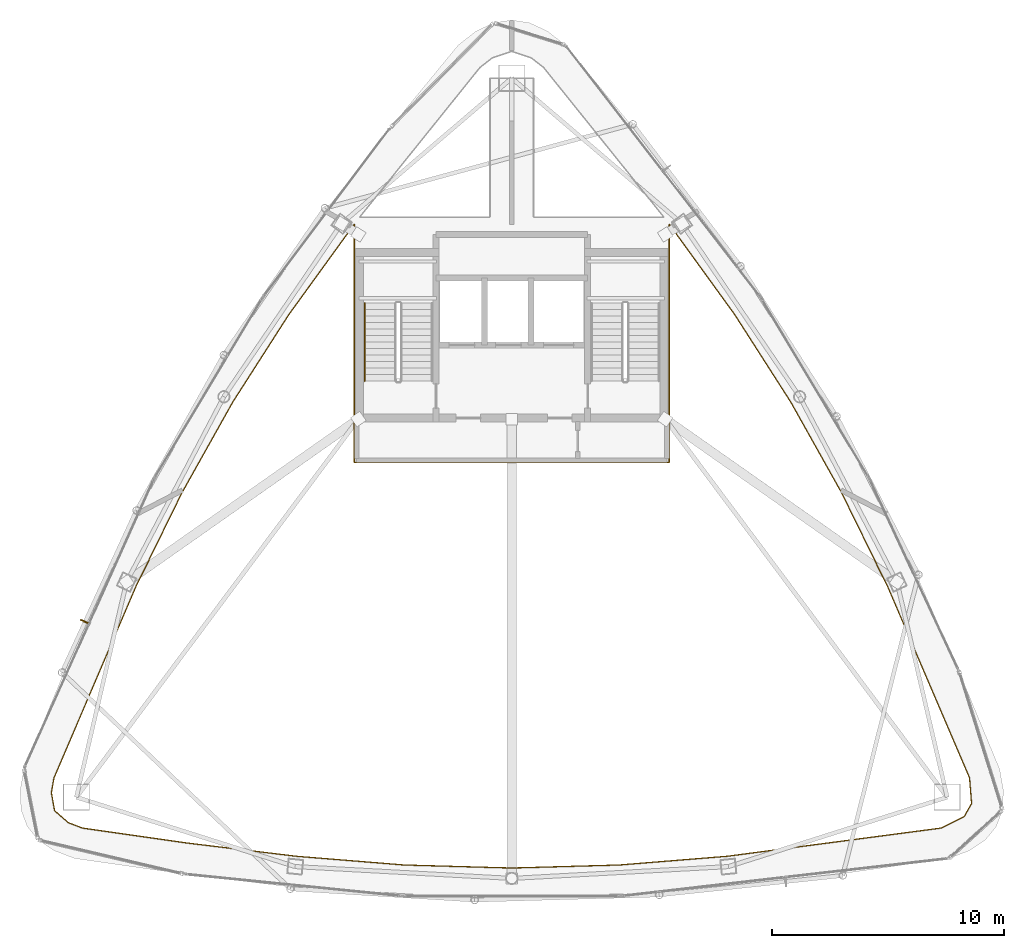
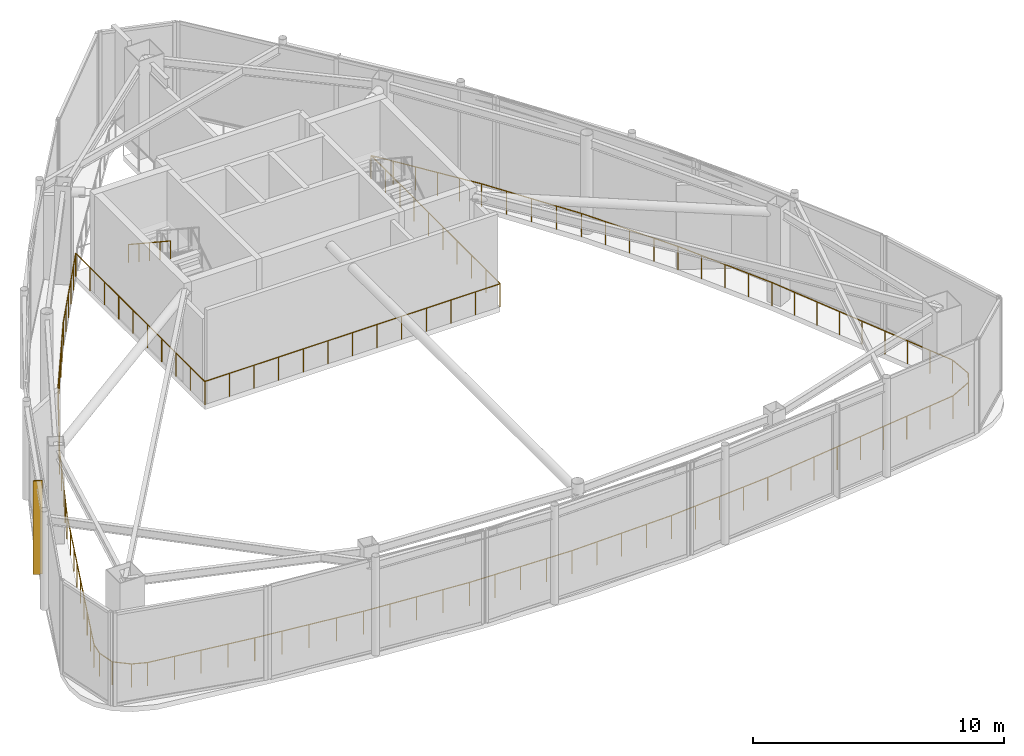
# One storey, part 18 of 20: 2 railings, 1 shading device.
"""IFC4 building model written with IfcOpenShell, lengths in metres."""

from ifc_helpers import new_model, si_unit, direction, frame, origin, origin_2d, place, context, subcontext, project, spatial, rectangle, circle, extrude, material, layer, layer_set, type_object, element, save


model = new_model("IFC4")

# Units and contexts
model_context = context("Model", 3, precision=1e-05, world=origin(), true_north=direction((0.0, 1.0)))
body_context = subcontext(model_context, "Body", "Model", "MODEL_VIEW")
ifc_project = project(units=[si_unit("LENGTHUNIT", "METRE"), si_unit("AREAUNIT", "SQUARE_METRE"), si_unit("VOLUMEUNIT", "CUBIC_METRE"), si_unit("PLANEANGLEUNIT", "RADIAN"), si_unit("MASSUNIT", "GRAM", prefix="KILO")], contexts=[model_context])

# Site, building, storey
site_placement = place(None, origin())
site = spatial("IfcSite", under=ifc_project, at=site_placement, CompositionType="ELEMENT")
building_placement = place(site_placement, origin())
building = spatial("IfcBuilding", under=site, at=building_placement, Name="Orvanel Arch Residences", CompositionType="ELEMENT")
storey_placement = place(building_placement, frame((0.0, 0.0, 305.300048828125)))
storey = spatial("IfcBuildingStorey", under=building, at=storey_placement, Name="L85", CompositionType="ELEMENT", Elevation=305.300048828125)

# Shading device
ifc_material_1 = material(Name="Bronze-anodised aluminium AA6063-T6", Category="aluminium")
ifc_layer = layer(ifc_material_1, 0.06005859375)
ifc_layer_set = layer_set([ifc_layer], Name="Bronze-anodised aluminium AA6063-T6")
shading_device_type = type_object("IfcShadingDeviceType", Name="FIN-BRZ-380", PredefinedType="USERDEFINED", material=ifc_layer_set)
shading_device_placement = place(storey_placement, frame((14.550048828125, 17.93603515625, 0.0), z_axis=(0.0, 0.0, 1.0), x_axis=(-0.912120116172, 0.409923033842, 0.0)))
element("IfcShadingDevice", 1, at=shading_device_placement, inside=storey, type_object=shading_device_type, Name="L85 Anodised Bronze Mullion FIN 01", ObjectType="FIN", PredefinedType="USERDEFINED", context=body_context, shape_type="SweptSolid", body=[
    extrude(rectangle(XDim=0.3798828125, YDim=0.06005859375, at=origin_2d()), origin(), (0.0, 0.0, 1.0), 4.550048828125),
])

# Railings
railing_type_1 = type_object("IfcRailingType", Name="RL-ATR-1150", PredefinedType="BALUSTRADE", material=ifc_material_1)
railing_1_placement = place(storey_placement, frame((42.626953125, 31.18310546875, 0.0)))
element("IfcRailing", 2, at=railing_1_placement, inside=storey, type_object=railing_type_1, Name="L85 Crown Conservatory Void 2 Balustrade", PredefinedType="BALUSTRADE", context=body_context, shape_type="SweptSolid", body=[
    extrude(circle(Radius=0.02392578125, at=origin_2d()), frame((0.000732421875, -0.001220703125, 1.1259765625), z_axis=(0.539449316925, -0.842018072531, 0.0), x_axis=(0.842018072531, 0.539449316925, 0.0)), (0.0, 0.0, 1.0), 4.479248046875),
    extrude(circle(Radius=0.02392578125, at=origin_2d()), frame((2.418701171875, -3.775390625, 1.1259765625), z_axis=(0.488877026727, -0.872352711201, 0.0), x_axis=(0.872352711201, 0.488877026727, 0.0)), (0.0, 0.0, 1.0), 4.47900390625),
    extrude(circle(Radius=0.02392578125, at=origin_2d()), frame((4.60986328125, -7.685546875, 1.1259765625), z_axis=(0.440900053408, -0.897556205986, 0.0), x_axis=(0.897556205986, 0.440900053408, 0.0)), (0.0, 0.0, 1.0), 4.506103515625),
    extrude(circle(Radius=0.02392578125, at=origin_2d()), frame((6.59765625, -11.732666015625, 1.1259765625), z_axis=(0.393624390708, -0.919271363113, 0.0), x_axis=(0.919271363113, 0.393624390708, 0.0)), (0.0, 0.0, 1.0), 8.98974609375),
    extrude(circle(Radius=0.02392578125, at=origin_2d()), frame((10.136962890625, -19.99951171875, 1.1259765625), z_axis=(0.078340921398, -0.996926627207, 0.0), x_axis=(0.996926627207, 0.078340921398, 0.0)), (0.0, 0.0, 1.0), 1.109619140625),
    extrude(circle(Radius=0.02392578125, at=origin_2d()), frame((10.223388671875, -21.1083984375, 1.1259765625), z_axis=(-0.492907253875, -0.870081857688, 0.0), x_axis=(0.870081857688, -0.492907253875, 0.0)), (0.0, 0.0, 1.0), 0.640380859375),
    extrude(circle(Radius=0.02392578125, at=origin_2d()), frame((9.90576171875, -21.667724609375, 1.1259765625), z_axis=(-0.89473528006, -0.446596886035, 0.0), x_axis=(0.446596886035, -0.89473528006, 0.0)), (0.0, 0.0, 1.0), 1.105712890625),
    extrude(circle(Radius=0.02392578125, at=origin_2d()), frame((8.91357421875, -22.162353515625, 1.1259765625), z_axis=(-0.99141795724, -0.130730386908, 0.0), x_axis=(0.130730386908, -0.99141795724, 0.0)), (0.0, 0.0, 1.0), 9.31396484375),
    extrude(circle(Radius=0.02392578125, at=origin_2d()), frame((-0.323486328125, -23.380126953125, 1.1259765625), z_axis=(-0.996741433639, -0.08066296837, 0.0), x_axis=(0.08066296837, -0.996741433639, 0.0)), (0.0, 0.0, 1.0), 4.670166015625),
    extrude(circle(Radius=0.02392578125, at=origin_2d()), frame((-4.9814453125, -23.757080078125, 1.1259765625), z_axis=(-0.999602259989, -0.028201450752, 0.0), x_axis=(0.028201450752, -0.999602259989, 0.0)), (0.0, 0.0, 1.0), 4.645751953125),
    extrude(circle(Radius=0.02392578125, at=origin_2d()), frame((-9.62841796875, -23.88818359375, 1.1259765625), z_axis=(-0.999602259989, 0.028201450752, 0.0), x_axis=(-0.028201450752, -0.999602259989, 0.0)), (0.0, 0.0, 1.0), 4.645751953125),
    extrude(circle(Radius=0.02392578125, at=origin_2d()), frame((-14.275390625, -23.757080078125, 1.1259765625), z_axis=(-0.996741433639, 0.08066296837, 0.0), x_axis=(-0.08066296837, -0.996741433639, 0.0)), (0.0, 0.0, 1.0), 4.670166015625),
    extrude(circle(Radius=0.02392578125, at=origin_2d()), frame((-18.933349609375, -23.3798828125, 1.1259765625), z_axis=(-0.992737718176, 0.120298889897, 0.0), x_axis=(-0.120298889897, -0.992737718176, 0.0)), (0.0, 0.0, 1.0), 4.71142578125),
    extrude(circle(Radius=0.02392578125, at=origin_2d()), frame((-23.613525390625, -22.812744140625, 1.1259765625), z_axis=(-0.989952675685, 0.141399080277, 0.0), x_axis=(-0.141399080277, -0.989952675685, 0.0)), (0.0, 0.0, 1.0), 4.60009765625),
    extrude(circle(Radius=0.02392578125, at=origin_2d()), frame((-28.17041015625, -22.16162109375, 1.1259765625), z_axis=(-0.933423126079, 0.358777462643, 0.0), x_axis=(-0.358777462643, -0.933423126079, 0.0)), (0.0, 0.0, 1.0), 0.646240234375),
    extrude(circle(Radius=0.02392578125, at=origin_2d()), frame((-28.776123046875, -21.92822265625, 1.1259765625), z_axis=(-0.753867638629, 0.657026318673, 0.0), x_axis=(-0.657026318673, -0.753867638629, 0.0)), (0.0, 0.0, 1.0), 0.781005859375),
    extrude(circle(Radius=0.02392578125, at=origin_2d()), frame((-29.3662109375, -21.41259765625, 1.1259765625), z_axis=(-0.175683017964, 0.984446787388, 0.0), x_axis=(-0.984446787388, -0.175683017964, 0.0)), (0.0, 0.0, 1.0), 0.7822265625),
    extrude(circle(Radius=0.02392578125, at=origin_2d()), frame((-29.503662109375, -20.6396484375, 1.1259765625), z_axis=(0.173124037048, 0.984900029341, 0.0), x_axis=(-0.984900029341, 0.173124037048, 0.0)), (0.0, 0.0, 1.0), 0.64990234375),
    extrude(circle(Radius=0.02392578125, at=origin_2d()), frame((-29.390380859375, -19.99658203125, 1.1259765625), z_axis=(0.393624390708, 0.919271363113, 0.0), x_axis=(-0.919271363113, 0.393624390708, 0.0)), (0.0, 0.0, 1.0), 8.98974609375),
    extrude(circle(Radius=0.02392578125, at=origin_2d()), frame((-25.850341796875, -11.729736328125, 1.1259765625), z_axis=(0.440900053408, 0.897556205986, 0.0), x_axis=(-0.897556205986, 0.440900053408, 0.0)), (0.0, 0.0, 1.0), 4.506103515625),
    extrude(circle(Radius=0.02392578125, at=origin_2d()), frame((-23.8623046875, -7.682861328125, 1.1259765625), z_axis=(0.488877026727, 0.872352711201, 0.0), x_axis=(-0.872352711201, 0.488877026727, 0.0)), (0.0, 0.0, 1.0), 4.47900390625),
    extrude(circle(Radius=0.02392578125, at=origin_2d()), frame((-21.671142578125, -3.77294921875, 1.1259765625), z_axis=(0.539449316925, 0.842018072531, 0.0), x_axis=(-0.842018072531, 0.539449316925, 0.0)), (0.0, 0.0, 1.0), 4.479248046875),
    extrude(circle(Radius=0.02392578125, at=origin_2d()), frame((-19.2529296875, 0.001220703125, 1.1259765625), z_axis=(0.58641472095, 0.810010972181, 0.0), x_axis=(-0.810010972181, 0.58641472095, 0.0)), (0.0, 0.0, 1.0), 4.817626953125),
    extrude(circle(Radius=0.02392578125, at=origin_2d()), frame((-16.427001953125, 3.9033203125, 1.1259765625), z_axis=(0.0, -1.0, 0.0), x_axis=(1.0, 0.0, 0.0)), (0.0, 0.0, 1.0), 10.284912109375),
    extrude(circle(Radius=0.02392578125, at=origin_2d()), frame((-16.425537109375, -6.383056640625, 1.1259765625), z_axis=(1.0, 0.0, 0.0), x_axis=(0.0, 1.0, 0.0)), (0.0, 0.0, 1.0), 13.59716796875),
    extrude(circle(Radius=0.02392578125, at=origin_2d()), frame((-2.826904296875, -6.381591796875, 1.1259765625), z_axis=(0.0, 1.0, 0.0), x_axis=(-1.0, 0.0, 0.0)), (0.0, 0.0, 1.0), 10.284912109375),
    extrude(circle(Radius=0.02392578125, at=origin_2d()), frame((-2.825927734375, 3.903564453125, 1.1259765625), z_axis=(0.58641472095, -0.810010972181, 0.0), x_axis=(0.810010972181, 0.58641472095, 0.0)), (0.0, 0.0, 1.0), 4.817626953125),
    extrude(circle(Radius=0.02099609375, at=origin_2d()), origin(), (0.0, 0.0, 1.0), 1.099853515625),
    extrude(circle(Radius=0.02099609375, at=origin_2d()), frame((0.6044921875, -0.943603515625, 0.0)), (0.0, 0.0, 1.0), 1.099853515625),
    extrude(circle(Radius=0.02099609375, at=origin_2d()), frame((1.208984375, -1.88720703125, 0.0)), (0.0, 0.0, 1.0), 1.099853515625),
    extrude(circle(Radius=0.02099609375, at=origin_2d()), frame((1.8134765625, -2.83056640625, 0.0)), (0.0, 0.0, 1.0), 1.099853515625),
    extrude(circle(Radius=0.02099609375, at=origin_2d()), frame((2.41796875, -3.774169921875, 0.0)), (0.0, 0.0, 1.0), 1.099853515625),
    extrude(circle(Radius=0.02099609375, at=origin_2d()), frame((2.9658203125, -4.751708984375, 0.0)), (0.0, 0.0, 1.0), 1.099853515625),
    extrude(circle(Radius=0.02099609375, at=origin_2d()), frame((3.513671875, -5.72900390625, 0.0)), (0.0, 0.0, 1.0), 1.099853515625),
    extrude(circle(Radius=0.02099609375, at=origin_2d()), frame((4.061279296875, -6.70654296875, 0.0)), (0.0, 0.0, 1.0), 1.099853515625),
    extrude(circle(Radius=0.02099609375, at=origin_2d()), frame((4.609130859375, -7.68408203125, 0.0)), (0.0, 0.0, 1.0), 1.099853515625),
    extrude(circle(Radius=0.02099609375, at=origin_2d()), frame((5.106201171875, -8.69580078125, 0.0)), (0.0, 0.0, 1.0), 1.099853515625),
    extrude(circle(Radius=0.02099609375, at=origin_2d()), frame((5.60302734375, -9.70751953125, 0.0)), (0.0, 0.0, 1.0), 1.099853515625),
    extrude(circle(Radius=0.02099609375, at=origin_2d()), frame((6.10009765625, -10.719482421875, 0.0)), (0.0, 0.0, 1.0), 1.099853515625),
    extrude(circle(Radius=0.02099609375, at=origin_2d()), frame((6.59716796875, -11.731201171875, 0.0)), (0.0, 0.0, 1.0), 1.099853515625),
    extrude(circle(Radius=0.02099609375, at=origin_2d()), frame((7.03955078125, -12.7646484375, 0.0)), (0.0, 0.0, 1.0), 1.099853515625),
    extrude(circle(Radius=0.02099609375, at=origin_2d()), frame((7.482177734375, -13.7978515625, 0.0)), (0.0, 0.0, 1.0), 1.099853515625),
    extrude(circle(Radius=0.02099609375, at=origin_2d()), frame((7.924560546875, -14.831298828125, 0.0)), (0.0, 0.0, 1.0), 1.099853515625),
    extrude(circle(Radius=0.02099609375, at=origin_2d()), frame((8.3671875, -15.86474609375, 0.0)), (0.0, 0.0, 1.0), 1.099853515625),
    extrude(circle(Radius=0.02099609375, at=origin_2d()), frame((8.8095703125, -16.89794921875, 0.0)), (0.0, 0.0, 1.0), 1.099853515625),
    extrude(circle(Radius=0.02099609375, at=origin_2d()), frame((9.251953125, -17.931396484375, 0.0)), (0.0, 0.0, 1.0), 1.099853515625),
    extrude(circle(Radius=0.02099609375, at=origin_2d()), frame((9.694580078125, -18.964599609375, 0.0)), (0.0, 0.0, 1.0), 1.099853515625),
    extrude(circle(Radius=0.02099609375, at=origin_2d()), frame((10.136962890625, -19.998046875, 0.0)), (0.0, 0.0, 1.0), 1.099853515625),
    extrude(circle(Radius=0.02099609375, at=origin_2d()), frame((10.22412109375, -21.107177734375, 0.0)), (0.0, 0.0, 1.0), 1.099853515625),
    extrude(circle(Radius=0.02099609375, at=origin_2d()), frame((9.906982421875, -21.6669921875, 0.0)), (0.0, 0.0, 1.0), 1.099853515625),
    extrude(circle(Radius=0.02099609375, at=origin_2d()), frame((8.9150390625, -22.162109375, 0.0)), (0.0, 0.0, 1.0), 1.099853515625),
    extrude(circle(Radius=0.02099609375, at=origin_2d()), frame((7.760498046875, -22.314453125, 0.0)), (0.0, 0.0, 1.0), 1.099853515625),
    extrude(circle(Radius=0.02099609375, at=origin_2d()), frame((6.605712890625, -22.466552734375, 0.0)), (0.0, 0.0, 1.0), 1.099853515625),
    extrude(circle(Radius=0.02099609375, at=origin_2d()), frame((5.451171875, -22.618896484375, 0.0)), (0.0, 0.0, 1.0), 1.099853515625),
    extrude(circle(Radius=0.02099609375, at=origin_2d()), frame((4.29638671875, -22.77099609375, 0.0)), (0.0, 0.0, 1.0), 1.099853515625),
    extrude(circle(Radius=0.02099609375, at=origin_2d()), frame((3.141845703125, -22.92333984375, 0.0)), (0.0, 0.0, 1.0), 1.099853515625),
    extrude(circle(Radius=0.02099609375, at=origin_2d()), frame((1.9873046875, -23.07568359375, 0.0)), (0.0, 0.0, 1.0), 1.099853515625),
    extrude(circle(Radius=0.02099609375, at=origin_2d()), frame((0.83251953125, -23.227783203125, 0.0)), (0.0, 0.0, 1.0), 1.099853515625),
    extrude(circle(Radius=0.02099609375, at=origin_2d()), frame((-0.322021484375, -23.380126953125, 0.0)), (0.0, 0.0, 1.0), 1.099853515625),
    extrude(circle(Radius=0.02099609375, at=origin_2d()), frame((-1.486572265625, -23.474365234375, 0.0)), (0.0, 0.0, 1.0), 1.099853515625),
    extrude(circle(Radius=0.02099609375, at=origin_2d()), frame((-2.65087890625, -23.568603515625, 0.0)), (0.0, 0.0, 1.0), 1.099853515625),
    extrude(circle(Radius=0.02099609375, at=origin_2d()), frame((-3.8154296875, -23.662841796875, 0.0)), (0.0, 0.0, 1.0), 1.099853515625),
    extrude(circle(Radius=0.02099609375, at=origin_2d()), frame((-4.97998046875, -23.757080078125, 0.0)), (0.0, 0.0, 1.0), 1.099853515625),
    extrude(circle(Radius=0.02099609375, at=origin_2d()), frame((-6.1416015625, -23.789794921875, 0.0)), (0.0, 0.0, 1.0), 1.099853515625),
    extrude(circle(Radius=0.02099609375, at=origin_2d()), frame((-7.303466796875, -23.82275390625, 0.0)), (0.0, 0.0, 1.0), 1.099853515625),
    extrude(circle(Radius=0.02099609375, at=origin_2d()), frame((-8.46533203125, -23.85546875, 0.0)), (0.0, 0.0, 1.0), 1.099853515625),
    extrude(circle(Radius=0.02099609375, at=origin_2d()), frame((-9.626953125, -23.88818359375, 0.0)), (0.0, 0.0, 1.0), 1.099853515625),
    extrude(circle(Radius=0.02099609375, at=origin_2d()), frame((-10.78857421875, -23.85546875, 0.0)), (0.0, 0.0, 1.0), 1.099853515625),
    extrude(circle(Radius=0.02099609375, at=origin_2d()), frame((-11.950439453125, -23.82275390625, 0.0)), (0.0, 0.0, 1.0), 1.099853515625),
    extrude(circle(Radius=0.02099609375, at=origin_2d()), frame((-13.1123046875, -23.789794921875, 0.0)), (0.0, 0.0, 1.0), 1.099853515625),
    extrude(circle(Radius=0.02099609375, at=origin_2d()), frame((-14.27392578125, -23.757080078125, 0.0)), (0.0, 0.0, 1.0), 1.099853515625),
    extrude(circle(Radius=0.02099609375, at=origin_2d()), frame((-15.4384765625, -23.662841796875, 0.0)), (0.0, 0.0, 1.0), 1.099853515625),
    extrude(circle(Radius=0.02099609375, at=origin_2d()), frame((-16.60302734375, -23.568603515625, 0.0)), (0.0, 0.0, 1.0), 1.099853515625),
    extrude(circle(Radius=0.02099609375, at=origin_2d()), frame((-17.767333984375, -23.474365234375, 0.0)), (0.0, 0.0, 1.0), 1.099853515625),
    extrude(circle(Radius=0.02099609375, at=origin_2d()), frame((-18.931884765625, -23.380126953125, 0.0)), (0.0, 0.0, 1.0), 1.099853515625),
    extrude(circle(Radius=0.02099609375, at=origin_2d()), frame((-20.10205078125, -23.23828125, 0.0)), (0.0, 0.0, 1.0), 1.099853515625),
    extrude(circle(Radius=0.02099609375, at=origin_2d()), frame((-21.27197265625, -23.0966796875, 0.0)), (0.0, 0.0, 1.0), 1.099853515625),
    extrude(circle(Radius=0.02099609375, at=origin_2d()), frame((-22.44189453125, -22.954833984375, 0.0)), (0.0, 0.0, 1.0), 1.099853515625),
    extrude(circle(Radius=0.02099609375, at=origin_2d()), frame((-23.612060546875, -22.81298828125, 0.0)), (0.0, 0.0, 1.0), 1.099853515625),
    extrude(circle(Radius=0.02099609375, at=origin_2d()), frame((-24.751220703125, -22.650390625, 0.0)), (0.0, 0.0, 1.0), 1.099853515625),
    extrude(circle(Radius=0.02099609375, at=origin_2d()), frame((-25.890625, -22.487548828125, 0.0)), (0.0, 0.0, 1.0), 1.099853515625),
    extrude(circle(Radius=0.02099609375, at=origin_2d()), frame((-27.02978515625, -22.32470703125, 0.0)), (0.0, 0.0, 1.0), 1.099853515625),
    extrude(circle(Radius=0.02099609375, at=origin_2d()), frame((-28.1689453125, -22.162109375, 0.0)), (0.0, 0.0, 1.0), 1.099853515625),
    extrude(circle(Radius=0.02099609375, at=origin_2d()), frame((-28.77490234375, -21.92919921875, 0.0)), (0.0, 0.0, 1.0), 1.099853515625),
    extrude(circle(Radius=0.02099609375, at=origin_2d()), frame((-29.365966796875, -21.4140625, 0.0)), (0.0, 0.0, 1.0), 1.099853515625),
    extrude(circle(Radius=0.02099609375, at=origin_2d()), frame((-29.50390625, -20.64111328125, 0.0)), (0.0, 0.0, 1.0), 1.099853515625),
    extrude(circle(Radius=0.02099609375, at=origin_2d()), frame((-29.390869140625, -19.998046875, 0.0)), (0.0, 0.0, 1.0), 1.099853515625),
    extrude(circle(Radius=0.02099609375, at=origin_2d()), frame((-28.948486328125, -18.964599609375, 0.0)), (0.0, 0.0, 1.0), 1.099853515625),
    extrude(circle(Radius=0.02099609375, at=origin_2d()), frame((-28.505859375, -17.931396484375, 0.0)), (0.0, 0.0, 1.0), 1.099853515625),
    extrude(circle(Radius=0.02099609375, at=origin_2d()), frame((-28.0634765625, -16.89794921875, 0.0)), (0.0, 0.0, 1.0), 1.099853515625),
    extrude(circle(Radius=0.02099609375, at=origin_2d()), frame((-27.62109375, -15.86474609375, 0.0)), (0.0, 0.0, 1.0), 1.099853515625),
    extrude(circle(Radius=0.02099609375, at=origin_2d()), frame((-27.178466796875, -14.831298828125, 0.0)), (0.0, 0.0, 1.0), 1.099853515625),
    extrude(circle(Radius=0.02099609375, at=origin_2d()), frame((-26.736083984375, -13.7978515625, 0.0)), (0.0, 0.0, 1.0), 1.099853515625),
    extrude(circle(Radius=0.02099609375, at=origin_2d()), frame((-26.29345703125, -12.7646484375, 0.0)), (0.0, 0.0, 1.0), 1.099853515625),
    extrude(circle(Radius=0.02099609375, at=origin_2d()), frame((-25.85107421875, -11.731201171875, 0.0)), (0.0, 0.0, 1.0), 1.099853515625),
    extrude(circle(Radius=0.02099609375, at=origin_2d()), frame((-25.35400390625, -10.719482421875, 0.0)), (0.0, 0.0, 1.0), 1.099853515625),
    extrude(circle(Radius=0.02099609375, at=origin_2d()), frame((-24.85693359375, -9.70751953125, 0.0)), (0.0, 0.0, 1.0), 1.099853515625),
    extrude(circle(Radius=0.02099609375, at=origin_2d()), frame((-24.360107421875, -8.69580078125, 0.0)), (0.0, 0.0, 1.0), 1.099853515625),
    extrude(circle(Radius=0.02099609375, at=origin_2d()), frame((-23.863037109375, -7.68408203125, 0.0)), (0.0, 0.0, 1.0), 1.099853515625),
    extrude(circle(Radius=0.02099609375, at=origin_2d()), frame((-23.315185546875, -6.70654296875, 0.0)), (0.0, 0.0, 1.0), 1.099853515625),
    extrude(circle(Radius=0.02099609375, at=origin_2d()), frame((-22.767578125, -5.72900390625, 0.0)), (0.0, 0.0, 1.0), 1.099853515625),
    extrude(circle(Radius=0.02099609375, at=origin_2d()), frame((-22.2197265625, -4.751708984375, 0.0)), (0.0, 0.0, 1.0), 1.099853515625),
    extrude(circle(Radius=0.02099609375, at=origin_2d()), frame((-21.671875, -3.774169921875, 0.0)), (0.0, 0.0, 1.0), 1.099853515625),
    extrude(circle(Radius=0.02099609375, at=origin_2d()), frame((-21.0673828125, -2.83056640625, 0.0)), (0.0, 0.0, 1.0), 1.099853515625),
    extrude(circle(Radius=0.02099609375, at=origin_2d()), frame((-20.462890625, -1.88720703125, 0.0)), (0.0, 0.0, 1.0), 1.099853515625),
    extrude(circle(Radius=0.02099609375, at=origin_2d()), frame((-19.8583984375, -0.943603515625, 0.0)), (0.0, 0.0, 1.0), 1.099853515625),
    extrude(circle(Radius=0.02099609375, at=origin_2d()), frame((-19.25390625, 0.0, 0.0)), (0.0, 0.0, 1.0), 1.099853515625),
    extrude(circle(Radius=0.02099609375, at=origin_2d()), frame((-18.6884765625, 0.781005859375, 0.0)), (0.0, 0.0, 1.0), 1.099853515625),
    extrude(circle(Radius=0.02099609375, at=origin_2d()), frame((-18.123046875, 1.56201171875, 0.0)), (0.0, 0.0, 1.0), 1.099853515625),
    extrude(circle(Radius=0.02099609375, at=origin_2d()), frame((-17.557861328125, 2.3427734375, 0.0)), (0.0, 0.0, 1.0), 1.099853515625),
    extrude(circle(Radius=0.02099609375, at=origin_2d()), frame((-16.992431640625, 3.123779296875, 0.0)), (0.0, 0.0, 1.0), 1.099853515625),
    extrude(circle(Radius=0.02099609375, at=origin_2d()), frame((-16.427001953125, 3.90478515625, 0.0)), (0.0, 0.0, 1.0), 1.099853515625),
    extrude(circle(Radius=0.02099609375, at=origin_2d()), frame((-16.427001953125, 2.76171875, 0.0)), (0.0, 0.0, 1.0), 1.099853515625),
    extrude(circle(Radius=0.02099609375, at=origin_2d()), frame((-16.427001953125, 1.61865234375, 0.0)), (0.0, 0.0, 1.0), 1.099853515625),
    extrude(circle(Radius=0.02099609375, at=origin_2d()), frame((-16.427001953125, 0.4755859375, 0.0)), (0.0, 0.0, 1.0), 1.099853515625),
    extrude(circle(Radius=0.02099609375, at=origin_2d()), frame((-16.427001953125, -0.66748046875, 0.0)), (0.0, 0.0, 1.0), 1.099853515625),
    extrude(circle(Radius=0.02099609375, at=origin_2d()), frame((-16.427001953125, -1.810791015625, 0.0)), (0.0, 0.0, 1.0), 1.099853515625),
    extrude(circle(Radius=0.02099609375, at=origin_2d()), frame((-16.427001953125, -2.953857421875, 0.0)), (0.0, 0.0, 1.0), 1.099853515625),
    extrude(circle(Radius=0.02099609375, at=origin_2d()), frame((-16.427001953125, -4.096923828125, 0.0)), (0.0, 0.0, 1.0), 1.099853515625),
    extrude(circle(Radius=0.02099609375, at=origin_2d()), frame((-16.427001953125, -5.239990234375, 0.0)), (0.0, 0.0, 1.0), 1.099853515625),
    extrude(circle(Radius=0.02099609375, at=origin_2d()), frame((-16.427001953125, -6.383056640625, 0.0)), (0.0, 0.0, 1.0), 1.099853515625),
    extrude(circle(Radius=0.02099609375, at=origin_2d()), frame((-15.293701171875, -6.383056640625, 0.0)), (0.0, 0.0, 1.0), 1.099853515625),
    extrude(circle(Radius=0.02099609375, at=origin_2d()), frame((-14.160400390625, -6.383056640625, 0.0)), (0.0, 0.0, 1.0), 1.099853515625),
    extrude(circle(Radius=0.02099609375, at=origin_2d()), frame((-13.02685546875, -6.383056640625, 0.0)), (0.0, 0.0, 1.0), 1.099853515625),
    extrude(circle(Radius=0.02099609375, at=origin_2d()), frame((-11.8935546875, -6.383056640625, 0.0)), (0.0, 0.0, 1.0), 1.099853515625),
    extrude(circle(Radius=0.02099609375, at=origin_2d()), frame((-10.76025390625, -6.383056640625, 0.0)), (0.0, 0.0, 1.0), 1.099853515625),
    extrude(circle(Radius=0.02099609375, at=origin_2d()), frame((-9.626953125, -6.383056640625, 0.0)), (0.0, 0.0, 1.0), 1.099853515625),
    extrude(circle(Radius=0.02099609375, at=origin_2d()), frame((-8.49365234375, -6.383056640625, 0.0)), (0.0, 0.0, 1.0), 1.099853515625),
    extrude(circle(Radius=0.02099609375, at=origin_2d()), frame((-7.3603515625, -6.383056640625, 0.0)), (0.0, 0.0, 1.0), 1.099853515625),
    extrude(circle(Radius=0.02099609375, at=origin_2d()), frame((-6.22705078125, -6.383056640625, 0.0)), (0.0, 0.0, 1.0), 1.099853515625),
    extrude(circle(Radius=0.02099609375, at=origin_2d()), frame((-5.093505859375, -6.383056640625, 0.0)), (0.0, 0.0, 1.0), 1.099853515625),
    extrude(circle(Radius=0.02099609375, at=origin_2d()), frame((-3.960205078125, -6.383056640625, 0.0)), (0.0, 0.0, 1.0), 1.099853515625),
    extrude(circle(Radius=0.02099609375, at=origin_2d()), frame((-2.826904296875, -6.383056640625, 0.0)), (0.0, 0.0, 1.0), 1.099853515625),
    extrude(circle(Radius=0.02099609375, at=origin_2d()), frame((-2.826904296875, -5.239990234375, 0.0)), (0.0, 0.0, 1.0), 1.099853515625),
    extrude(circle(Radius=0.02099609375, at=origin_2d()), frame((-2.826904296875, -4.096923828125, 0.0)), (0.0, 0.0, 1.0), 1.099853515625),
    extrude(circle(Radius=0.02099609375, at=origin_2d()), frame((-2.826904296875, -2.953857421875, 0.0)), (0.0, 0.0, 1.0), 1.099853515625),
    extrude(circle(Radius=0.02099609375, at=origin_2d()), frame((-2.826904296875, -1.810791015625, 0.0)), (0.0, 0.0, 1.0), 1.099853515625),
    extrude(circle(Radius=0.02099609375, at=origin_2d()), frame((-2.826904296875, -0.66748046875, 0.0)), (0.0, 0.0, 1.0), 1.099853515625),
    extrude(circle(Radius=0.02099609375, at=origin_2d()), frame((-2.826904296875, 0.4755859375, 0.0)), (0.0, 0.0, 1.0), 1.099853515625),
    extrude(circle(Radius=0.02099609375, at=origin_2d()), frame((-2.826904296875, 1.61865234375, 0.0)), (0.0, 0.0, 1.0), 1.099853515625),
    extrude(circle(Radius=0.02099609375, at=origin_2d()), frame((-2.826904296875, 2.76171875, 0.0)), (0.0, 0.0, 1.0), 1.099853515625),
    extrude(circle(Radius=0.02099609375, at=origin_2d()), frame((-2.826904296875, 3.90478515625, 0.0)), (0.0, 0.0, 1.0), 1.099853515625),
    extrude(circle(Radius=0.02099609375, at=origin_2d()), frame((-2.261474609375, 3.123779296875, 0.0)), (0.0, 0.0, 1.0), 1.099853515625),
    extrude(circle(Radius=0.02099609375, at=origin_2d()), frame((-1.696044921875, 2.3427734375, 0.0)), (0.0, 0.0, 1.0), 1.099853515625),
    extrude(circle(Radius=0.02099609375, at=origin_2d()), frame((-1.130859375, 1.56201171875, 0.0)), (0.0, 0.0, 1.0), 1.099853515625),
    extrude(circle(Radius=0.02099609375, at=origin_2d()), frame((-0.5654296875, 0.781005859375, 0.0)), (0.0, 0.0, 1.0), 1.099853515625),
])
ifc_material_2 = material(Name="Structural steel AS/NZS 1163 C350L0 (Grade 350)", Category="steel")
railing_type_2 = type_object("IfcRailingType", Name="RL-STAIR-HAND", PredefinedType="HANDRAIL", material=ifc_material_2)
railing_2_placement = place(storey_placement, frame((26.64990234375, 31.679931640625, 2.58447265625)))
element("IfcRailing", 3, at=railing_2_placement, inside=storey, type_object=railing_type_2, Name="L85 ST-1 stair handrail 2", PredefinedType="HANDRAIL", context=body_context, shape_type="SweptSolid", body=[
    extrude(circle(Radius=0.02392578125, at=origin_2d()), frame((0.0, -0.001220703125, 0.876708984375), z_axis=(0.0, -0.83483021737, 0.550507500554), x_axis=(1.0, 0.0, 0.0)), (0.0, 0.0, 1.0), 4.021728515625),
    extrude(circle(Radius=0.02099609375, at=origin_2d()), origin(), (0.0, 0.0, 1.0), 0.849853515625),
    extrude(circle(Radius=0.02099609375, at=origin_2d()), frame((0.0, -0.83984375, 0.553955078125)), (0.0, 0.0, 1.0), 0.849853515625),
    extrude(circle(Radius=0.02099609375, at=origin_2d()), frame((0.0, -1.679931640625, 1.10791015625)), (0.0, 0.0, 1.0), 0.849853515625),
    extrude(circle(Radius=0.02099609375, at=origin_2d()), frame((0.0, -2.52001953125, 1.66162109375)), (0.0, 0.0, 1.0), 0.849853515625),
    extrude(circle(Radius=0.02099609375, at=origin_2d()), frame((0.0, -3.35986328125, 2.215576171875)), (0.0, 0.0, 1.0), 0.849853515625),
])

save(model, "model.ifc")
